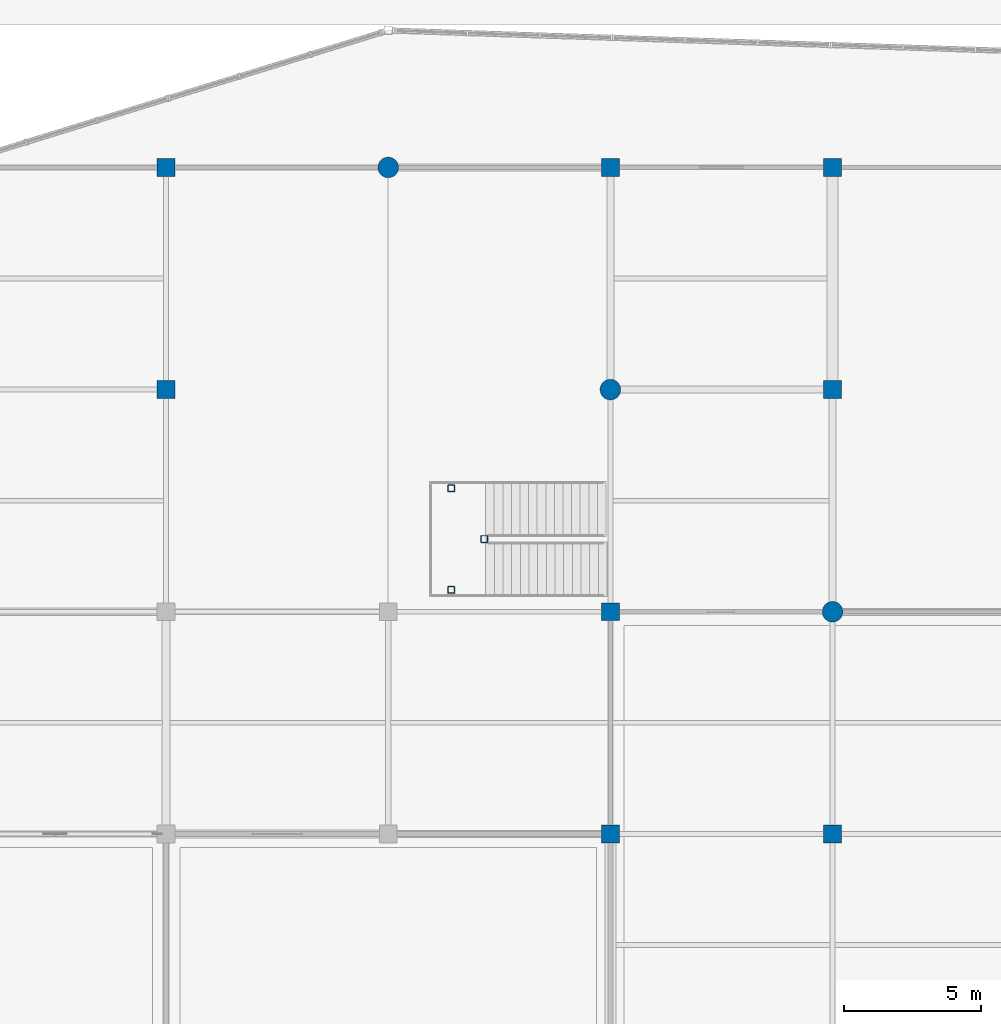
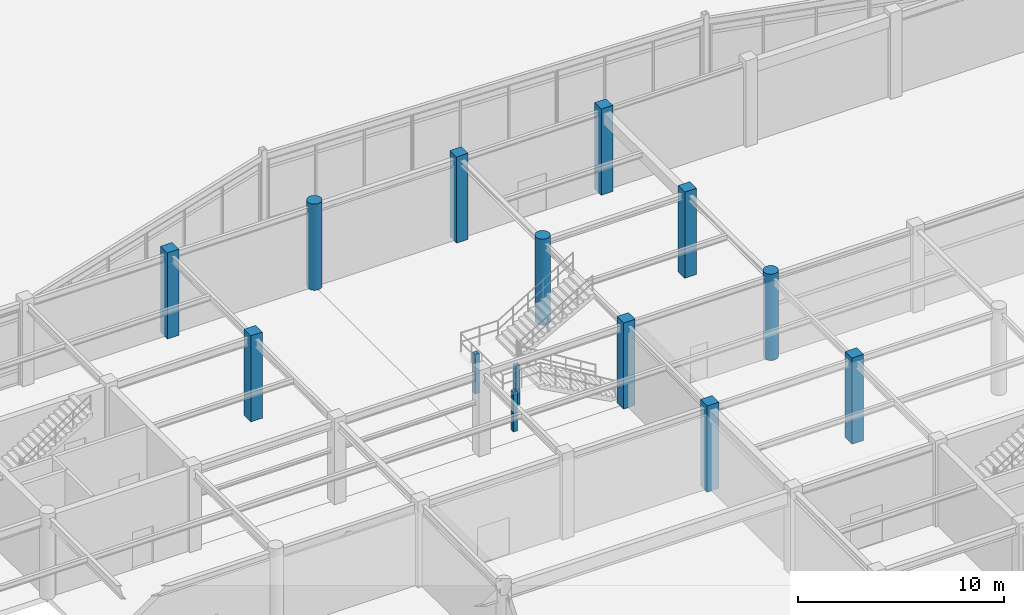
# One storey, part 5 of 99: 14 columns.
"""IFC4 building model written with IfcOpenShell, lengths in metres."""

import ifcopenshell
import ifcopenshell.guid

model = None  # the IFC model being written
_history = None  # IfcOwnerHistory: only IFC2X3 demands one
_inside = {}  # id of a spatial element -> (the spatial element, [elements in it])
_under = {}  # id of a project, library or spatial element -> (it, [spatial elements below it])
_declared = {}  # id of a project -> (the project, [libraries it declares])
_typed = {}  # id of a type object -> (the type object, [elements of that type])
_made_of = {}  # id of a material, layer set ... -> (it, [elements and type objects made of it])


def new_model(schema):
    """Start an empty IFC model of exactly this schema.

    Asked for "IFC4X3", IfcOpenShell would pick the latest addendum, in which some entities
    have other attributes; the version numbers below select the first issue.
    IFC2X3 requires an IfcOwnerHistory on every rooted entity: one is made here for all.
    """
    global model, _history
    if schema == "IFC4X3":
        model = ifcopenshell.file(schema_version=(4, 3, 0, 0))
    else:
        model = ifcopenshell.file(schema=schema)
    _inside.clear()
    _under.clear()
    _declared.clear()
    _typed.clear()
    _made_of.clear()
    _history = None
    if model.schema == "IFC2X3":
        org = make("IfcOrganization", Name="unknown")
        user = make(
            "IfcPersonAndOrganization",
            ThePerson=make("IfcPerson", FamilyName="unknown"),
            TheOrganization=org,
        )
        app = make(
            "IfcApplication",
            ApplicationDeveloper=org,
            Version="unknown",
            ApplicationFullName="unknown",
            ApplicationIdentifier="unknown",
        )
        _history = make(
            "IfcOwnerHistory",
            OwningUser=user,
            OwningApplication=app,
            ChangeAction="ADDED",
            CreationDate=0,
        )
    return model


def make(cls, **values):
    """One entity of the class cls with the attributes given. An attribute that is None is left unset."""
    return model.create_entity(
        cls, **{name: value for name, value in values.items() if value is not None}
    )


def rooted(cls, **values):
    """An entity with a GlobalId (a new one), such as an element, a storey or a relation."""
    return make(cls, GlobalId=ifcopenshell.guid.new(), OwnerHistory=_history, **values)


def si_unit(unit_type, name, prefix=None):
    """IfcSIUnit, for example si_unit("LENGTHUNIT", "METRE", prefix="MILLI")."""
    return make("IfcSIUnit", UnitType=unit_type, Prefix=prefix, Name=name)


def assignment(units):
    """IfcUnitAssignment: the units of a project."""
    return None if units is None else make("IfcUnitAssignment", Units=units)


def point(xyz):
    """IfcCartesianPoint."""
    return None if xyz is None else make("IfcCartesianPoint", Coordinates=xyz)


def direction(xyz):
    """IfcDirection."""
    return None if xyz is None else make("IfcDirection", DirectionRatios=xyz)


def frame(location, z_axis=None, x_axis=None):
    """IfcAxis2Placement3D, a coordinate frame: its origin and axes. An axis left out is left unset."""
    return make(
        "IfcAxis2Placement3D",
        Location=point(location),
        Axis=direction(z_axis),
        RefDirection=direction(x_axis),
    )


def frame_2d(location, x_axis=None):
    """IfcAxis2Placement2D, a coordinate frame in the plane: its origin and x axis."""
    return make(
        "IfcAxis2Placement2D", Location=point(location), RefDirection=direction(x_axis)
    )


def origin():
    """The frame at (0, 0, 0) with its axes left unset."""
    return frame((0.0, 0.0, 0.0))


def origin_2d():
    """The frame at (0, 0) in the plane with its x axis left unset."""
    return frame_2d((0.0, 0.0))


def place(relative_to, where):
    """IfcLocalPlacement: puts the frame where relative to a parent placement (None: the world)."""
    return make(
        "IfcLocalPlacement", PlacementRelTo=relative_to, RelativePlacement=where
    )


def context(
    kind, dimensions, precision=None, world=None, true_north=None, identifier=None
):
    """IfcGeometricRepresentationContext, for example the 3D "Model" context."""
    return make(
        "IfcGeometricRepresentationContext",
        ContextIdentifier=identifier,
        ContextType=kind,
        CoordinateSpaceDimension=dimensions,
        Precision=precision,
        WorldCoordinateSystem=world,
        TrueNorth=true_north,
    )


def subcontext(parent, identifier, kind, view, scale=None):
    """IfcGeometricRepresentationSubContext, for example "Body" below "Model"."""
    return make(
        "IfcGeometricRepresentationSubContext",
        ContextIdentifier=identifier,
        ContextType=kind,
        ParentContext=parent,
        TargetScale=scale,
        TargetView=view,
    )


def project(units=None, contexts=None):
    """IfcProject with its units and contexts."""
    return rooted(
        "IfcProject",
        Name="project",
        RepresentationContexts=contexts,
        UnitsInContext=assignment(units),
    )


def spatial(cls, under=None, at=None, **own):
    """A site, building, storey or space (cls), placed at a placement, below another one or the project."""
    s = rooted(cls, ObjectPlacement=at, **own)
    if under is not None:
        _under.setdefault(under.id(), (under, []))[1].append(s)
    return s


def profile(cls, at=None, kind="AREA", **sizes):
    """A parametric profile (cls). Its sizes go by their IFC names, for example OverallWidth=200.0."""
    return make(cls, ProfileType=kind, Position=at, **sizes)


def rectangle(**sizes):
    """IfcRectangleProfileDef."""
    return profile("IfcRectangleProfileDef", **sizes)


def hollow_rectangle(**sizes):
    """IfcRectangleHollowProfileDef."""
    return profile("IfcRectangleHollowProfileDef", **sizes)


def circle(**sizes):
    """IfcCircleProfileDef."""
    return profile("IfcCircleProfileDef", **sizes)


def extrude(swept, where, along, depth):
    """IfcExtrudedAreaSolid: the profile swept, set in the frame where, extruded along a direction by depth."""
    return make(
        "IfcExtrudedAreaSolid",
        SweptArea=swept,
        Position=where,
        ExtrudedDirection=direction(along),
        Depth=depth,
    )


def shape(context_of_items, identifier, shape_type, items):
    """IfcShapeRepresentation: the items that make up one representation, for example the "Body"."""
    return make(
        "IfcShapeRepresentation",
        ContextOfItems=context_of_items,
        RepresentationIdentifier=identifier,
        RepresentationType=shape_type,
        Items=items,
    )


def material(Name=None, Category=None):
    """IfcMaterial."""
    return make("IfcMaterial", Name=Name, Category=Category)


def material_profile(
    of_material, cross_section, Name=None, Category=None, Priority=None
):
    """IfcMaterialProfile: a cross section and its material."""
    return make(
        "IfcMaterialProfile",
        Name=Name,
        Material=of_material,
        Profile=cross_section,
        Priority=Priority,
        Category=Category,
    )


def profile_set(profiles, Name=None, composite=None):
    """IfcMaterialProfileSet."""
    return make(
        "IfcMaterialProfileSet",
        Name=Name,
        MaterialProfiles=profiles,
        CompositeProfile=composite,
    )


def made_of(thing, what):
    """Note that an element or type object is made of a material, layer set ...; save() writes the relation."""
    if what is not None:
        _made_of.setdefault(what.id(), (what, []))[1].append(thing)
    return thing


def type_object(cls, material=None, **own):
    """A type object (cls), such as IfcWallType, which elements share."""
    return made_of(rooted(cls, **own), material)


def element(
    cls,
    number,
    at=None,
    inside=None,
    cuts=None,
    type_object=None,
    material=None,
    context=None,
    identifier="Body",
    shape_type=None,
    held_by="IfcProductDefinitionShape",
    body=None,
    shapes=None,
    **own,
):
    """One element of the class cls, such as IfcWall. Its Tag is "e" and its number.

    at: its placement. inside: the storey or other place that contains it. cuts: it is an
    opening in that element (IfcRelVoidsElement). A single representation is given by context,
    identifier, shape_type and body (its items); several are given by shapes. held_by: the class
    of the entity that holds the representations. save() writes the other relations.
    """
    e = rooted(cls, Tag="e%d" % number, ObjectPlacement=at, **own)
    if body is not None:
        shapes = [shape(context, identifier, shape_type, body)]
    if shapes is not None:
        e.Representation = make(held_by, Representations=shapes)
    if inside is not None:
        _inside.setdefault(inside.id(), (inside, []))[1].append(e)
    if cuts is not None:
        rooted(
            "IfcRelVoidsElement", RelatingBuildingElement=cuts, RelatedOpeningElement=e
        )
    if type_object is not None:
        _typed.setdefault(type_object.id(), (type_object, []))[1].append(e)
    return made_of(e, material)


def aggregate(whole, parts):
    """IfcRelAggregates: a whole, such as a stair, and the parts it consists of."""
    return rooted("IfcRelAggregates", RelatingObject=whole, RelatedObjects=parts)


def save(model, path):
    """Write the relations noted so far, then the file.

    IfcRelAggregates (storeys below a building ...), IfcRelContainedInSpatialStructure (elements
    in a storey), IfcRelDefinesByType, IfcRelAssociatesMaterial and IfcRelDeclares: one each for
    every whole, place, type object, material and project.
    """
    for whole, parts in _under.values():
        aggregate(whole, parts)
    for where, things in _inside.values():
        rooted(
            "IfcRelContainedInSpatialStructure",
            RelatedElements=things,
            RelatingStructure=where,
        )
    for kind, things in _typed.values():
        rooted("IfcRelDefinesByType", RelatedObjects=things, RelatingType=kind)
    for what, things in _made_of.values():
        rooted("IfcRelAssociatesMaterial", RelatedObjects=things, RelatingMaterial=what)
    for by, libraries in _declared.values():
        rooted("IfcRelDeclares", RelatingContext=by, RelatedDefinitions=libraries)
    model.write(path)


model = new_model("IFC4")

# Units and contexts
model_context = context("Model", 3, precision=1e-05, world=origin(), true_north=direction((0.0, 1.0)))
body_context = subcontext(model_context, "Body", "Model", "MODEL_VIEW")
ifc_project = project(units=[si_unit("LENGTHUNIT", "METRE"), si_unit("AREAUNIT", "SQUARE_METRE"), si_unit("VOLUMEUNIT", "CUBIC_METRE"), si_unit("PLANEANGLEUNIT", "RADIAN"), si_unit("MASSUNIT", "GRAM", prefix="KILO")], contexts=[model_context])

# Site, building, storey
site_placement = place(None, origin())
site = spatial("IfcSite", under=ifc_project, at=site_placement, CompositionType="ELEMENT")
building_placement = place(site_placement, origin())
building = spatial("IfcBuilding", under=site, at=building_placement, Name="Vaudrelin Polytechnic", CompositionType="ELEMENT")
storey_placement = place(building_placement, origin())
storey = spatial("IfcBuildingStorey", under=building, at=storey_placement, Name="L00", CompositionType="ELEMENT", Elevation=0.0)

# Columns
ifc_material_1 = material(Name="Steel CSA G40.21 350W", Category="steel")
ifc_material_profile_1 = material_profile(ifc_material_1, hollow_rectangle(XDim=0.25390625, YDim=0.25390625, WallThickness=0.0126953125, InnerFilletRadius=0.0126953125, OuterFilletRadius=0.025390625, at=origin_2d()), Name="HSS254x254x12.7")
ifc_profile_set_1 = profile_set([ifc_material_profile_1], Name="Steel CSA G40.21 350W")
column_type_1 = type_object("IfcColumnType", Name="COL-C-HSS254", PredefinedType="COLUMN", material=ifc_profile_set_1)
for number, where, z_axis, x_axis, name in (
    (1, (75.199951171875, 33.199951171875, 0.0), (0.0, 0.0, 1.0), (1.0, 0.0, 0.0), "Winter-garden feature stair landing post 1"),
    (2, (76.39990234375, 35.050048828125, 0.0), (0.0, 0.0, 1.0), (1.0, 0.0, 0.0), "Winter-garden feature stair landing post 2"),
    (3, (75.199951171875, 36.89990234375, 0.0), (0.0, 0.0, 1.0), (1.0, 0.0, 0.0), "Winter-garden feature stair landing post 3"),
):
    element("IfcColumn", number, at=place(storey_placement, frame(where, z_axis=z_axis, x_axis=x_axis)), inside=storey, type_object=column_type_1, Name=name, PredefinedType="COLUMN", context=body_context, shape_type="SweptSolid", body=[
        extrude(hollow_rectangle(XDim=0.25390625, YDim=0.25390625, WallThickness=0.0126953125, InnerFilletRadius=0.0126953125, OuterFilletRadius=0.025390625, at=origin_2d()), origin(), (0.0, 0.0, 1.0), 2.340087890625),
    ])
ifc_material_2 = material(Name="Concrete 40 MPa", Category="concrete")
ifc_material_profile_2 = material_profile(ifc_material_2, rectangle(XDim=0.64990234375, YDim=0.64990234375, at=origin_2d()), Name="RC650x650")
ifc_profile_set_2 = profile_set([ifc_material_profile_2], Name="Concrete 40 MPa")
column_type_2 = type_object("IfcColumnType", Name="COL-C-RC650", PredefinedType="COLUMN", material=ifc_profile_set_2)
for number, where, z_axis, x_axis, name in (
    (4, (64.800048828125, 40.5, 0.0), (0.0, 0.0, 1.0), (1.0, 0.0, 0.0), "Column L00 9-6"),
    (5, (64.800048828125, 48.60009765625, 0.0), (0.0, 0.0, 1.0), (1.0, 0.0, 0.0), "Column L00 9-7"),
    (6, (81.0, 24.300048828125, 0.0), (0.0, 0.0, 1.0), (1.0, 0.0, 0.0), "Column L00 11-4"),
    (7, (81.0, 32.39990234375, 0.0), (0.0, 0.0, 1.0), (1.0, 0.0, 0.0), "Column L00 11-5"),
    (8, (81.0, 48.60009765625, 0.0), (0.0, 0.0, 1.0), (1.0, 0.0, 0.0), "Column L00 11-7"),
    (9, (89.10009765625, 24.300048828125, 0.0), (0.0, 0.0, 1.0), (1.0, 0.0, 0.0), "Column L00 12-4"),
    (10, (89.10009765625, 40.5, 0.0), (0.0, 0.0, 1.0), (1.0, 0.0, 0.0), "Column L00 12-6"),
    (11, (89.10009765625, 48.60009765625, 0.0), (0.0, 0.0, 1.0), (1.0, 0.0, 0.0), "Column L00 12-7"),
):
    element("IfcColumn", number, at=place(storey_placement, frame(where, z_axis=z_axis, x_axis=x_axis)), inside=storey, type_object=column_type_2, Name=name, PredefinedType="COLUMN", context=body_context, shape_type="SweptSolid", body=[
        extrude(rectangle(XDim=0.64990234375, YDim=0.64990234375, at=origin_2d()), origin(), (0.0, 0.0, 1.0), 5.10009765625),
    ])
ifc_material_3 = material(Name="Concrete 50 MPa", Category="concrete")
ifc_material_profile_3 = material_profile(ifc_material_3, circle(Radius=0.375, at=origin_2d()), Name="RCCOL750")
ifc_profile_set_3 = profile_set([ifc_material_profile_3], Name="Concrete 50 MPa")
column_type_3 = type_object("IfcColumnType", Name="COL-C-RCD750", PredefinedType="COLUMN", material=ifc_profile_set_3)
for number, where, z_axis, x_axis, name in (
    (12, (72.89990234375, 48.60009765625, 0.0), (0.0, 0.0, 1.0), (1.0, 0.0, 0.0), "Column L00 10-7"),
    (13, (81.0, 40.5, 0.0), (0.0, 0.0, 1.0), (1.0, 0.0, 0.0), "Column L00 11-6"),
    (14, (89.10009765625, 32.39990234375, 0.0), (0.0, 0.0, 1.0), (1.0, 0.0, 0.0), "Column L00 12-5"),
):
    element("IfcColumn", number, at=place(storey_placement, frame(where, z_axis=z_axis, x_axis=x_axis)), inside=storey, type_object=column_type_3, Name=name, PredefinedType="COLUMN", context=body_context, shape_type="SweptSolid", body=[
        extrude(circle(Radius=0.375, at=origin_2d()), origin(), (0.0, 0.0, 1.0), 5.10009765625),
    ])

save(model, "model.ifc")
